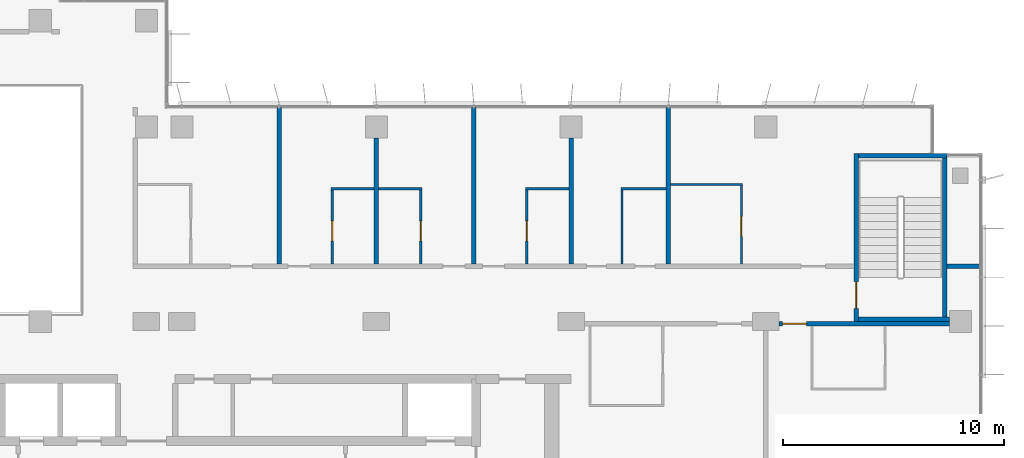
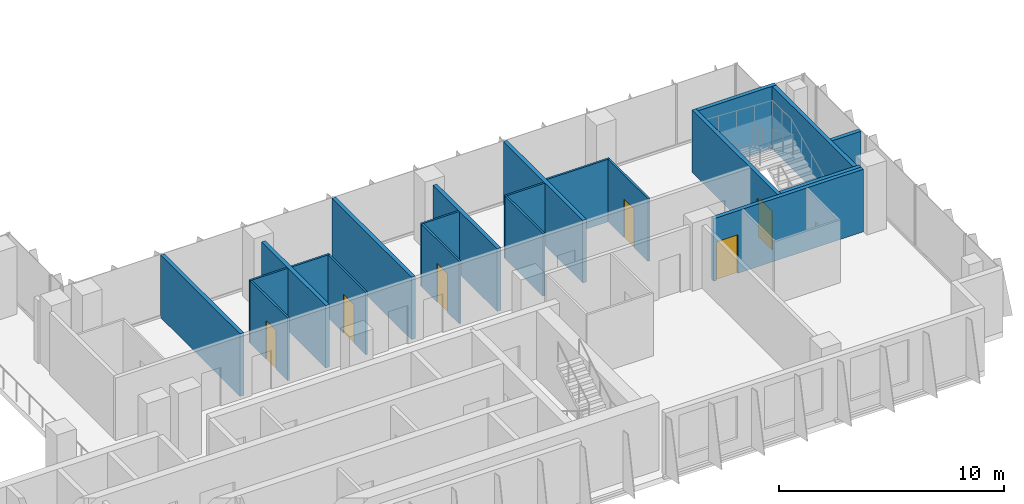
# One storey, part 15 of 21: 21 walls, 6 doors, 6 openings.
"""IFC4 building model written with IfcOpenShell, lengths in metres."""

from ifc_helpers import new_model, si_unit, direction, frame, frame_2d, origin, place, context, subcontext, project, spatial, rectangle, extrude, material, layer, layer_set, type_object, element, fill, save


model = new_model("IFC4")

# Units and contexts
model_context = context("Model", 3, precision=1e-05, world=origin(), true_north=direction((0.0, 1.0)))
body_context = subcontext(model_context, "Body", "Model", "MODEL_VIEW")
ifc_project = project(units=[si_unit("LENGTHUNIT", "METRE"), si_unit("AREAUNIT", "SQUARE_METRE"), si_unit("VOLUMEUNIT", "CUBIC_METRE"), si_unit("PLANEANGLEUNIT", "RADIAN"), si_unit("MASSUNIT", "GRAM", prefix="KILO")], contexts=[model_context])

# Site, building, storey
site_placement = place(None, origin())
site = spatial("IfcSite", under=ifc_project, at=site_placement, CompositionType="ELEMENT")
building_placement = place(site_placement, origin())
building = spatial("IfcBuilding", under=site, at=building_placement, Name="Kemantara Hotel Tower", CompositionType="ELEMENT")
storey_placement = place(building_placement, frame((0.0, 0.0, 167.89990234375)))
storey = spatial("IfcBuildingStorey", under=building, at=storey_placement, Name="L41", CompositionType="ELEMENT", Elevation=167.89990234375)

# Wall, opening, door
ifc_material_1 = material(Name="Gypsum board partition, steel studs and mineral wool, 200 mm", Category="steel")
ifc_layer_1 = layer(ifc_material_1, 0.199951171875)
ifc_layer_set_1 = layer_set([ifc_layer_1], Name="Gypsum board partition, steel studs and mineral wool, 200 mm")
wall_type_1 = type_object("IfcWallType", Name="CORRIDOR WALL 200", PredefinedType="PARTITIONING", material=ifc_layer_set_1)
wall_1_placement = place(storey_placement, frame((62.099853515625, 12.10009765625, 0.0), z_axis=(0.0, 0.0, 1.0), x_axis=(-1.0, 0.0, 0.0)))
wall_1 = element("IfcWall", 1, at=wall_1_placement, inside=storey, type_object=wall_type_1, Name="CORRIDOR WALL 200 002", PredefinedType="PARTITIONING", context=body_context, shape_type="SweptSolid", body=[
    extrude(rectangle(XDim=7.69970703125, YDim=0.199951171875, at=frame_2d((3.849853515625, 0.0))), origin(), (0.0, 0.0, 1.0), 3.400146484375),
])
opening_1_placement = place(wall_1_placement, frame((6.449951171875, 0.0, 0.0)))
opening_1 = element("IfcOpeningElement", 2, at=opening_1_placement, cuts=wall_1, Name="Opening F19-003", PredefinedType="OPENING", context=body_context, shape_type="SweptSolid", body=[
    extrude(rectangle(XDim=1.10009765625, YDim=2.10009765625, at=frame_2d((0.550048828125, 1.050048828125))), frame((0.0, 0.10986328125, 0.0), z_axis=(0.0, -1.0, 0.0), x_axis=(1.0, 0.0, 0.0)), (0.0, 0.0, 1.0), 0.219970703125),
])
ifc_material_2 = material(Name="Hardwood veneer door leaf with steel frame", Category="steel")
door_type_1 = type_object("IfcDoorType", Name="SUITE ENTRANCE DOOR 1100 X 2100 FD30S", OperationType="NOTDEFINED", PredefinedType="DOOR", material=ifc_material_2)
door_1_placement = place(opening_1_placement, origin())
door_1 = element("IfcDoor", 3, at=door_1_placement, inside=storey, type_object=door_type_1, Name="SUITE ENTRANCE DOOR F19-003", OperationType="SINGLE_SWING_LEFT", OverallHeight=2.10009765625, OverallWidth=1.10009765625, PredefinedType="DOOR", context=body_context, shape_type="SweptSolid", body=[
    extrude(rectangle(XDim=1.10009765625, YDim=2.10009765625, at=frame_2d((0.550048828125, 1.050048828125))), frame((0.0, 0.02490234375, 0.0), z_axis=(0.0, -1.0, 0.0), x_axis=(1.0, 0.0, 0.0)), (0.0, 0.0, 1.0), 0.050048828125),
])
fill(opening_1, door_1)

# Wall
wall_2_placement = place(storey_placement, frame((62.0, 14.699951171875, 0.0), z_axis=(0.0, 0.0, 1.0), x_axis=(1.0, 0.0, 0.0)))
element("IfcWall", 4, at=wall_2_placement, inside=storey, type_object=wall_type_1, Name="CORRIDOR WALL 200 005", PredefinedType="PARTITIONING", context=body_context, shape_type="SweptSolid", body=[
    extrude(rectangle(XDim=1.47998046875, YDim=0.199951171875, at=frame_2d((0.739990234375, 0.0))), origin(), (0.0, 0.0, 1.0), 3.400146484375),
])

# Wall, opening, door
ifc_material_3 = material(Name="Concrete fc 40 MPa", Category="concrete")
ifc_layer_2 = layer(ifc_material_3, 0.199951171875)
ifc_layer_set_2 = layer_set([ifc_layer_2], Name="Concrete fc 40 MPa")
wall_type_2 = type_object("IfcWallType", Name="Concrete stair wall 200 mm", PredefinedType="SHEAR", material=ifc_layer_set_2)
wall_3_placement = place(storey_placement, frame((57.89990234375, 12.199951171875, 0.0), z_axis=(0.0, 0.0, 1.0), x_axis=(0.0, 1.0, 0.0)))
wall_3 = element("IfcWall", 5, at=wall_3_placement, inside=storey, type_object=wall_type_2, Name="Stair ST3 enclosure wall with door", PredefinedType="SHEAR", context=body_context, shape_type="SweptSolid", body=[
    extrude(rectangle(XDim=7.60009765625, YDim=0.199951171875, at=frame_2d((3.800048828125, 0.0))), origin(), (0.0, 0.0, 1.0), 3.400146484375),
])
opening_2_placement = place(wall_3_placement, frame((0.60009765625, 0.0, 0.0)))
opening_2 = element("IfcOpeningElement", 6, at=opening_2_placement, cuts=wall_3, Name="Opening ST3-C", PredefinedType="OPENING", context=body_context, shape_type="SweptSolid", body=[
    extrude(rectangle(XDim=1.199951171875, YDim=2.10009765625, at=frame_2d((0.60009765625, 1.050048828125))), frame((0.0, 0.10986328125, 0.0), z_axis=(0.0, -1.0, 0.0), x_axis=(1.0, 0.0, 0.0)), (0.0, 0.0, 1.0), 0.219970703125),
])
ifc_material_4 = material(Name="Steel fire door", Category="steel")
door_type_2 = type_object("IfcDoorType", Name="Fire door FD90 1200 x 2100", OperationType="NOTDEFINED", PredefinedType="DOOR", material=ifc_material_4)
door_2_placement = place(opening_2_placement, frame((1.199951171875, 0.0, 0.0), z_axis=(0.0, 0.0, 1.0), x_axis=(-1.0, 0.0, 0.0)))
door_2 = element("IfcDoor", 7, at=door_2_placement, inside=storey, type_object=door_type_2, Name="Stair ST3 door", OperationType="SINGLE_SWING_RIGHT", OverallHeight=2.10009765625, OverallWidth=1.199951171875, PredefinedType="DOOR", context=body_context, shape_type="SweptSolid", body=[
    extrude(rectangle(XDim=1.199951171875, YDim=2.10009765625, at=frame_2d((0.60009765625, 1.050048828125))), frame((0.0, 0.02490234375, 0.0), z_axis=(0.0, -1.0, 0.0), x_axis=(1.0, 0.0, 0.0)), (0.0, 0.0, 1.0), 0.050048828125),
])
fill(opening_2, door_2)

# Walls
wall_4_placement = place(storey_placement, frame((58.0, 19.699951171875, 0.0), z_axis=(0.0, 0.0, 1.0), x_axis=(1.0, 0.0, 0.0)))
element("IfcWall", 8, at=wall_4_placement, inside=storey, type_object=wall_type_2, Name="Stair ST3 enclosure wall N", PredefinedType="SHEAR", context=body_context, shape_type="SweptSolid", body=[
    extrude(rectangle(XDim=4.0, YDim=0.199951171875, at=frame_2d((2.0, 0.0))), origin(), (0.0, 0.0, 1.0), 3.400146484375),
])
wall_5_placement = place(storey_placement, frame((58.0, 12.300048828125, 0.0), z_axis=(0.0, 0.0, 1.0), x_axis=(1.0, 0.0, 0.0)))
element("IfcWall", 9, at=wall_5_placement, inside=storey, type_object=wall_type_2, Name="Stair ST3 enclosure wall S", PredefinedType="SHEAR", context=body_context, shape_type="SweptSolid", body=[
    extrude(rectangle(XDim=4.10009765625, YDim=0.199951171875, at=frame_2d((2.050048828125, 0.0))), origin(), (0.0, 0.0, 1.0), 3.400146484375),
])
wall_6_placement = place(storey_placement, frame((61.89990234375, 12.39990234375, 0.0), z_axis=(0.0, 0.0, 1.0), x_axis=(0.0, 1.0, 0.0)))
element("IfcWall", 10, at=wall_6_placement, inside=storey, type_object=wall_type_2, Name="Stair ST3 enclosure wall E", PredefinedType="SHEAR", context=body_context, shape_type="SweptSolid", body=[
    extrude(rectangle(XDim=7.2001953125, YDim=0.199951171875, at=frame_2d((3.60009765625, 0.0))), origin(), (0.0, 0.0, 1.0), 3.400146484375),
])
ifc_layer_3 = layer(ifc_material_1, 0.199951171875)
ifc_layer_set_3 = layer_set([ifc_layer_3], Name="Gypsum board partition, steel studs and mineral wool, 200 mm")
wall_type_3 = type_object("IfcWallType", Name="GUEST ROOM PARTY WALL 200", PredefinedType="PARTITIONING", material=ifc_layer_set_3)
wall_7_placement = place(storey_placement, frame((31.800048828125, 14.800048828125, 0.0), z_axis=(0.0, 0.0, 1.0), x_axis=(0.0, 1.0, 0.0)))
element("IfcWall", 11, at=wall_7_placement, inside=storey, type_object=wall_type_3, Name="GUEST ROOM PARTY WALL 200 008", PredefinedType="PARTITIONING", context=body_context, shape_type="SweptSolid", body=[
    extrude(rectangle(XDim=7.070068359375, YDim=0.199951171875, at=frame_2d((3.53515625, 0.0))), origin(), (0.0, 0.0, 1.0), 3.400146484375),
])
wall_8_placement = place(storey_placement, frame((36.199951171875, 14.800048828125, 0.0), z_axis=(0.0, 0.0, 1.0), x_axis=(0.0, 1.0, 0.0)))
element("IfcWall", 12, at=wall_8_placement, inside=storey, type_object=wall_type_3, Name="GUEST ROOM PARTY WALL 200 009", PredefinedType="PARTITIONING", context=body_context, shape_type="SweptSolid", body=[
    extrude(rectangle(XDim=5.699951171875, YDim=0.199951171875, at=frame_2d((2.85009765625, 0.0))), origin(), (0.0, 0.0, 1.0), 3.400146484375),
])
wall_9_placement = place(storey_placement, frame((40.60009765625, 14.800048828125, 0.0), z_axis=(0.0, 0.0, 1.0), x_axis=(0.0, 1.0, 0.0)))
element("IfcWall", 13, at=wall_9_placement, inside=storey, type_object=wall_type_3, Name="GUEST ROOM PARTY WALL 200 010", PredefinedType="PARTITIONING", context=body_context, shape_type="SweptSolid", body=[
    extrude(rectangle(XDim=7.070068359375, YDim=0.199951171875, at=frame_2d((3.53515625, 0.0))), origin(), (0.0, 0.0, 1.0), 3.400146484375),
])
wall_10_placement = place(storey_placement, frame((45.0, 14.800048828125, 0.0), z_axis=(0.0, 0.0, 1.0), x_axis=(0.0, 1.0, 0.0)))
element("IfcWall", 14, at=wall_10_placement, inside=storey, type_object=wall_type_3, Name="GUEST ROOM PARTY WALL 200 011", PredefinedType="PARTITIONING", context=body_context, shape_type="SweptSolid", body=[
    extrude(rectangle(XDim=5.699951171875, YDim=0.199951171875, at=frame_2d((2.85009765625, 0.0))), origin(), (0.0, 0.0, 1.0), 3.400146484375),
])
wall_11_placement = place(storey_placement, frame((49.39990234375, 14.800048828125, 0.0), z_axis=(0.0, 0.0, 1.0), x_axis=(0.0, 1.0, 0.0)))
element("IfcWall", 15, at=wall_11_placement, inside=storey, type_object=wall_type_3, Name="GUEST ROOM PARTY WALL 200 012", PredefinedType="PARTITIONING", context=body_context, shape_type="SweptSolid", body=[
    extrude(rectangle(XDim=7.070068359375, YDim=0.199951171875, at=frame_2d((3.53515625, 0.0))), origin(), (0.0, 0.0, 1.0), 3.400146484375),
])
ifc_material_5 = material(Name="Gypsum board partition on steel studs, 100 mm", Category="steel")
ifc_layer_4 = layer(ifc_material_5, 0.10009765625)
ifc_layer_set_4 = layer_set([ifc_layer_4], Name="Gypsum board partition on steel studs, 100 mm")
wall_type_4 = type_object("IfcWallType", Name="ROOM PARTITION 100", PredefinedType="PARTITIONING", material=ifc_layer_set_4)
wall_12_placement = place(storey_placement, frame((49.5, 18.39990234375, 0.0), z_axis=(0.0, 0.0, 1.0), x_axis=(1.0, 0.0, 0.0)))
element("IfcWall", 16, at=wall_12_placement, inside=storey, type_object=wall_type_4, Name="ROOM PARTITION 100 038", PredefinedType="PARTITIONING", context=body_context, shape_type="SweptSolid", body=[
    extrude(rectangle(XDim=3.25, YDim=0.10009765625, at=frame_2d((1.625, 0.0))), origin(), (0.0, 0.0, 1.0), 3.400146484375),
])
wall_13_placement = place(storey_placement, frame((34.14990234375, 18.199951171875, 0.0), z_axis=(0.0, 0.0, 1.0), x_axis=(1.0, 0.0, 0.0)))
element("IfcWall", 17, at=wall_13_placement, inside=storey, type_object=wall_type_4, Name="ROOM PARTITION 100 040", PredefinedType="PARTITIONING", context=body_context, shape_type="SweptSolid", body=[
    extrude(rectangle(XDim=1.9501953125, YDim=0.10009765625, at=frame_2d((0.97509765625, 0.0))), origin(), (0.0, 0.0, 1.0), 3.400146484375),
])
for number, where, z_axis, x_axis, name in (
    (18, (36.300048828125, 18.199951171875, 0.0), (0.0, 0.0, 1.0), (1.0, 0.0, 0.0), "ROOM PARTITION 100 041"),
    (19, (42.949951171875, 18.199951171875, 0.0), (0.0, 0.0, 1.0), (1.0, 0.0, 0.0), "ROOM PARTITION 100 042"),
):
    element("IfcWall", number, at=place(storey_placement, frame(where, z_axis=z_axis, x_axis=x_axis)), inside=storey, type_object=wall_type_4, Name=name, PredefinedType="PARTITIONING", context=body_context, shape_type="SweptSolid", body=[
        extrude(rectangle(XDim=1.949951171875, YDim=0.10009765625, at=frame_2d((0.97509765625, 0.0))), origin(), (0.0, 0.0, 1.0), 3.400146484375),
    ])
wall_14_placement = place(storey_placement, frame((47.25, 18.199951171875, 0.0), z_axis=(0.0, 0.0, 1.0), x_axis=(1.0, 0.0, 0.0)))
element("IfcWall", 20, at=wall_14_placement, inside=storey, type_object=wall_type_4, Name="ROOM PARTITION 100 043", PredefinedType="PARTITIONING", context=body_context, shape_type="SweptSolid", body=[
    extrude(rectangle(XDim=2.050048828125, YDim=0.10009765625, at=frame_2d((1.02490234375, 0.0))), origin(), (0.0, 0.0, 1.0), 3.400146484375),
])

# Wall, opening, door
wall_15_placement = place(storey_placement, frame((34.199951171875, 18.14990234375, 0.0), z_axis=(0.0, 0.0, 1.0), x_axis=(0.0, -1.0, 0.0)))
wall_15 = element("IfcWall", 21, at=wall_15_placement, inside=storey, type_object=wall_type_4, Name="ROOM PARTITION 100 044", PredefinedType="PARTITIONING", context=body_context, shape_type="SweptSolid", body=[
    extrude(rectangle(XDim=3.349853515625, YDim=0.10009765625, at=frame_2d((1.6748046875, 0.0))), origin(), (0.0, 0.0, 1.0), 3.400146484375),
])
opening_3_placement = place(wall_15_placement, frame((1.39990234375, 0.0, 0.0)))
opening_3 = element("IfcOpeningElement", 22, at=opening_3_placement, cuts=wall_15, Name="Opening F19-008", PredefinedType="OPENING", context=body_context, shape_type="SweptSolid", body=[
    extrude(rectangle(XDim=0.89990234375, YDim=2.10009765625, at=frame_2d((0.449951171875, 1.050048828125))), frame((0.0, 0.06005859375, 0.0), z_axis=(0.0, -1.0, 0.0), x_axis=(1.0, 0.0, 0.0)), (0.0, 0.0, 1.0), 0.1201171875),
])
door_type_3 = type_object("IfcDoorType", Name="BATHROOM DOOR 900 X 2100", OperationType="NOTDEFINED", PredefinedType="DOOR", material=ifc_material_2)
door_3_placement = place(opening_3_placement, origin())
door_3 = element("IfcDoor", 23, at=door_3_placement, inside=storey, type_object=door_type_3, Name="BATHROOM DOOR F19-008", OperationType="SINGLE_SWING_RIGHT", OverallHeight=2.10009765625, OverallWidth=0.89990234375, PredefinedType="DOOR", context=body_context, shape_type="SweptSolid", body=[
    extrude(rectangle(XDim=0.89990234375, YDim=2.10009765625, at=frame_2d((0.449951171875, 1.050048828125))), frame((0.0, 0.02490234375, 0.0), z_axis=(0.0, -1.0, 0.0), x_axis=(1.0, 0.0, 0.0)), (0.0, 0.0, 1.0), 0.050048828125),
])
fill(opening_3, door_3)

wall_16_placement = place(storey_placement, frame((38.199951171875, 14.800048828125, 0.0), z_axis=(0.0, 0.0, 1.0), x_axis=(0.0, 1.0, 0.0)))
wall_16 = element("IfcWall", 24, at=wall_16_placement, inside=storey, type_object=wall_type_4, Name="ROOM PARTITION 100 045", PredefinedType="PARTITIONING", context=body_context, shape_type="SweptSolid", body=[
    extrude(rectangle(XDim=3.349853515625, YDim=0.10009765625, at=frame_2d((1.6748046875, 0.0))), origin(), (0.0, 0.0, 1.0), 3.400146484375),
])
opening_4_placement = place(wall_16_placement, frame((1.050048828125, 0.0, 0.0)))
opening_4 = element("IfcOpeningElement", 25, at=opening_4_placement, cuts=wall_16, Name="Opening F19-010", PredefinedType="OPENING", context=body_context, shape_type="SweptSolid", body=[
    extrude(rectangle(XDim=0.89990234375, YDim=2.10009765625, at=frame_2d((0.449951171875, 1.050048828125))), frame((0.0, 0.06005859375, 0.0), z_axis=(0.0, -1.0, 0.0), x_axis=(1.0, 0.0, 0.0)), (0.0, 0.0, 1.0), 0.1201171875),
])
door_4_placement = place(opening_4_placement, origin())
door_4 = element("IfcDoor", 26, at=door_4_placement, inside=storey, type_object=door_type_3, Name="BATHROOM DOOR F19-010", OperationType="SINGLE_SWING_LEFT", OverallHeight=2.10009765625, OverallWidth=0.89990234375, PredefinedType="DOOR", context=body_context, shape_type="SweptSolid", body=[
    extrude(rectangle(XDim=0.89990234375, YDim=2.10009765625, at=frame_2d((0.449951171875, 1.050048828125))), frame((0.0, 0.02490234375, 0.0), z_axis=(0.0, -1.0, 0.0), x_axis=(1.0, 0.0, 0.0)), (0.0, 0.0, 1.0), 0.050048828125),
])
fill(opening_4, door_4)

wall_17_placement = place(storey_placement, frame((43.0, 18.14990234375, 0.0), z_axis=(0.0, 0.0, 1.0), x_axis=(0.0, -1.0, 0.0)))
wall_17 = element("IfcWall", 27, at=wall_17_placement, inside=storey, type_object=wall_type_4, Name="ROOM PARTITION 100 046", PredefinedType="PARTITIONING", context=body_context, shape_type="SweptSolid", body=[
    extrude(rectangle(XDim=3.349853515625, YDim=0.10009765625, at=frame_2d((1.6748046875, 0.0))), origin(), (0.0, 0.0, 1.0), 3.400146484375),
])
opening_5_placement = place(wall_17_placement, frame((1.39990234375, 0.0, 0.0)))
opening_5 = element("IfcOpeningElement", 28, at=opening_5_placement, cuts=wall_17, Name="Opening F19-012", PredefinedType="OPENING", context=body_context, shape_type="SweptSolid", body=[
    extrude(rectangle(XDim=0.89990234375, YDim=2.10009765625, at=frame_2d((0.449951171875, 1.050048828125))), frame((0.0, 0.06005859375, 0.0), z_axis=(0.0, -1.0, 0.0), x_axis=(1.0, 0.0, 0.0)), (0.0, 0.0, 1.0), 0.1201171875),
])
door_5_placement = place(opening_5_placement, origin())
door_5 = element("IfcDoor", 29, at=door_5_placement, inside=storey, type_object=door_type_3, Name="BATHROOM DOOR F19-012", OperationType="SINGLE_SWING_RIGHT", OverallHeight=2.10009765625, OverallWidth=0.89990234375, PredefinedType="DOOR", context=body_context, shape_type="SweptSolid", body=[
    extrude(rectangle(XDim=0.89990234375, YDim=2.10009765625, at=frame_2d((0.449951171875, 1.050048828125))), frame((0.0, 0.02490234375, 0.0), z_axis=(0.0, -1.0, 0.0), x_axis=(1.0, 0.0, 0.0)), (0.0, 0.0, 1.0), 0.050048828125),
])
fill(opening_5, door_5)

# Wall
wall_18_placement = place(storey_placement, frame((47.300048828125, 14.800048828125, 0.0), z_axis=(0.0, 0.0, 1.0), x_axis=(0.0, 1.0, 0.0)))
element("IfcWall", 30, at=wall_18_placement, inside=storey, type_object=wall_type_4, Name="ROOM PARTITION 100 047", PredefinedType="PARTITIONING", context=body_context, shape_type="SweptSolid", body=[
    extrude(rectangle(XDim=3.349853515625, YDim=0.10009765625, at=frame_2d((1.6748046875, 0.0))), origin(), (0.0, 0.0, 1.0), 3.400146484375),
])

# Wall, opening, door
wall_19_placement = place(storey_placement, frame((52.699951171875, 14.800048828125, 0.0), z_axis=(0.0, 0.0, 1.0), x_axis=(0.0, 1.0, 0.0)))
wall_19 = element("IfcWall", 31, at=wall_19_placement, inside=storey, type_object=wall_type_4, Name="ROOM PARTITION 100 048", PredefinedType="PARTITIONING", context=body_context, shape_type="SweptSolid", body=[
    extrude(rectangle(XDim=3.550048828125, YDim=0.10009765625, at=frame_2d((1.77490234375, 0.0))), origin(), (0.0, 0.0, 1.0), 3.400146484375),
])
opening_6_placement = place(wall_19_placement, frame((1.25, 0.0, 0.0)))
opening_6 = element("IfcOpeningElement", 32, at=opening_6_placement, cuts=wall_19, Name="Opening F19-016", PredefinedType="OPENING", context=body_context, shape_type="SweptSolid", body=[
    extrude(rectangle(XDim=0.89990234375, YDim=2.10009765625, at=frame_2d((0.449951171875, 1.050048828125))), frame((0.0, 0.06005859375, 0.0), z_axis=(0.0, -1.0, 0.0), x_axis=(1.0, 0.0, 0.0)), (0.0, 0.0, 1.0), 0.1201171875),
])
door_6_placement = place(opening_6_placement, origin())
door_6 = element("IfcDoor", 33, at=door_6_placement, inside=storey, type_object=door_type_3, Name="BATHROOM DOOR F19-016", OperationType="SINGLE_SWING_LEFT", OverallHeight=2.10009765625, OverallWidth=0.89990234375, PredefinedType="DOOR", context=body_context, shape_type="SweptSolid", body=[
    extrude(rectangle(XDim=0.89990234375, YDim=2.10009765625, at=frame_2d((0.449951171875, 1.050048828125))), frame((0.0, 0.02490234375, 0.0), z_axis=(0.0, -1.0, 0.0), x_axis=(1.0, 0.0, 0.0)), (0.0, 0.0, 1.0), 0.050048828125),
])
fill(opening_6, door_6)

save(model, "model.ifc")
